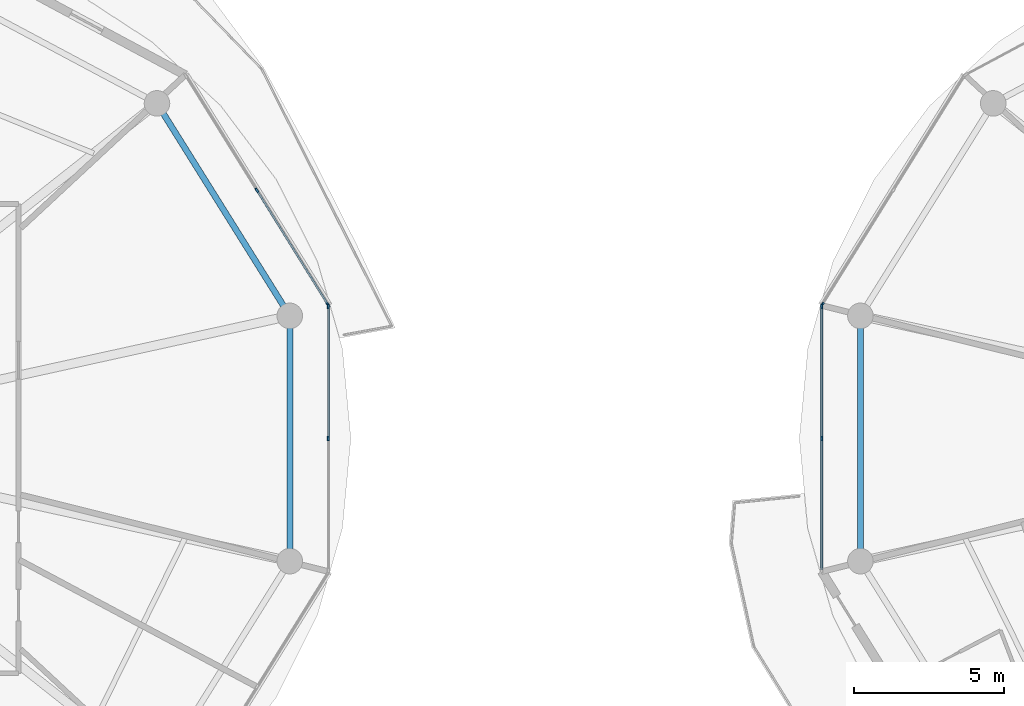
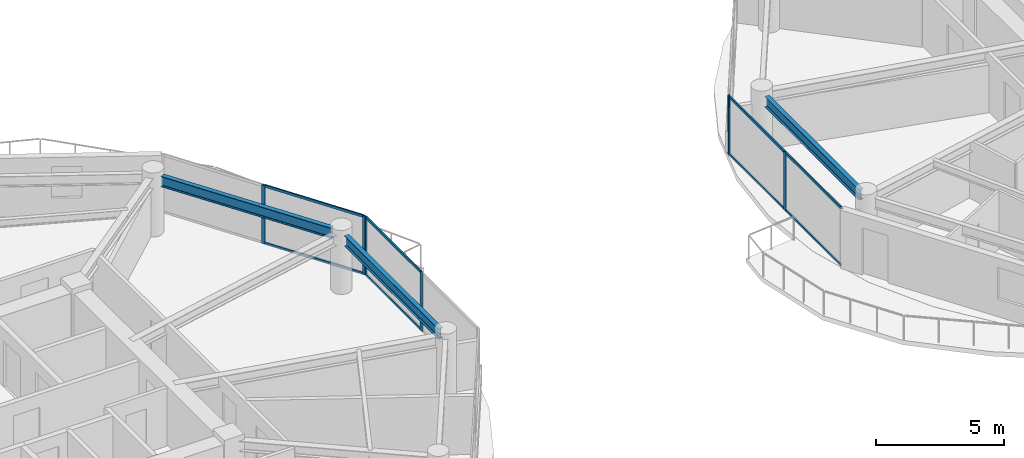
# One storey, part 7 of 23: 15 members, 3 beams, 4 elements without a shape of their own.
"""IFC4 building model written with IfcOpenShell, lengths in metres."""

from ifc_helpers import new_model, si_unit, direction, frame, origin, origin_2d, place, context, subcontext, project, spatial, rectangle, i_section, extrude, source, transform, mapped, material, layer, layer_set, material_profile, profile_set, type_object, type_shapes, element, aggregate, save


model = new_model("IFC4")

# Units and contexts
model_context = context("Model", 3, precision=1e-05, world=origin(), true_north=direction((0.0, 1.0)))
body_context = subcontext(model_context, "Body", "Model", "MODEL_VIEW")
ifc_project = project(units=[si_unit("LENGTHUNIT", "METRE"), si_unit("AREAUNIT", "SQUARE_METRE"), si_unit("VOLUMEUNIT", "CUBIC_METRE"), si_unit("PLANEANGLEUNIT", "RADIAN"), si_unit("MASSUNIT", "GRAM", prefix="KILO")], contexts=[model_context])

# Site, building, storey
site_placement = place(None, origin())
site = spatial("IfcSite", under=ifc_project, at=site_placement, CompositionType="ELEMENT")
building_placement = place(site_placement, origin())
building = spatial("IfcBuilding", under=site, at=building_placement, Name="Norrkilde Senior Care Towers", CompositionType="ELEMENT")
storey_placement = place(building_placement, frame((0.0, 0.0, 81.0)))
storey = spatial("IfcBuildingStorey", under=building, at=storey_placement, Name="L24", CompositionType="ELEMENT", Elevation=81.0)

# Beams
ifc_material_1 = material(Name="Steel S355", Category="steel")
ifc_material_profile_1 = material_profile(ifc_material_1, i_section(OverallWidth=0.199951171875, OverallDepth=0.5, WebThickness=0.01025390625, FlangeThickness=0.01611328125, FilletRadius=0.02099609375, at=origin_2d()), Name="IPE 500")
ifc_profile_set_1 = profile_set([ifc_material_profile_1], Name="Steel S355")
beam_type = type_object("IfcBeamType", Name="Perimeter Ring Spandrel Z2 IPE500", PredefinedType="SPANDREL", material=ifc_profile_set_1)
shared_shape_1 = source(origin(), body_context, "Body", "SweptSolid", [
    extrude(i_section(OverallWidth=0.199951171875, OverallDepth=0.5, WebThickness=0.01025390625, FlangeThickness=0.01611328125, FilletRadius=0.02099609375, at=origin_2d()), origin(), (0.0, 0.0, 1.0), 7.55615234375),
])
beam_placement = place(storey_placement, frame((-9.68505859375, 4.40283203125, 2.5400390625), z_axis=(-0.529981514254, 0.848009194849, 0.0), x_axis=(-0.848009194849, -0.529981514254, 0.0)))
element("IfcBeam", 1, at=beam_placement, inside=storey, type_object=beam_type, Name="L24 Drum W Perimeter Spandrel 01", PredefinedType="SPANDREL", context=body_context, shape_type="MappedRepresentation", body=[
    mapped(shared_shape_1, transform((0.0, 0.0, 0.0), x_axis=(1.0, 0.0, 0.0), y_axis=(0.0, 1.0, 0.0), z_axis=(0.0, 0.0, 1.0), scale=1.0)),
])
shared_shape_2 = source(origin(), body_context, "Body", "SweptSolid", [
    extrude(i_section(OverallWidth=0.199951171875, OverallDepth=0.5, WebThickness=0.01025390625, FlangeThickness=0.01611328125, FilletRadius=0.02099609375, at=origin_2d()), origin(), (0.0, 0.0, 1.0), 7.3828125),
])
type_shapes(beam_type, [shared_shape_1, shared_shape_2])
for number, where, z_axis, x_axis, name in (
    (2, (-9.48095703125, -3.69140625, 2.5400390625), (0.0, 1.0, 0.0), (-1.0, 0.0, 0.0), "L24 Drum W Perimeter Spandrel 12"),
    (3, (9.48095703125, 3.69140625, 2.5400390625), (0.0, -1.0, 0.0), (1.0, 0.0, 0.0), "L24 Drum E Perimeter Spandrel 06"),
):
    element("IfcBeam", number, at=place(storey_placement, frame(where, z_axis=z_axis, x_axis=x_axis)), inside=storey, type_object=beam_type, Name=name, PredefinedType="SPANDREL", context=body_context, shape_type="MappedRepresentation", body=[
        mapped(shared_shape_2, transform((0.0, 0.0, 0.0), x_axis=(1.0, 0.0, 0.0), y_axis=(0.0, 1.0, 0.0), z_axis=(0.0, 0.0, 1.0), scale=1.0)),
    ])

# Curtain wall, members
ifc_material_2 = material(Name="Triple Low-E Insulated Glazing", Category="glass")
ifc_layer = layer(ifc_material_2, 0.195068359375)
ifc_layer_set = layer_set([ifc_layer], Name="Triple Low-E Insulated Glazing")
curtain_wall_type = type_object("IfcCurtainWallType", Name="CW3 Zone 2 Assisted Living Curtain Wall", PredefinedType="NOTDEFINED", material=ifc_layer_set)
curtain_wall_1_placement = place(storey_placement, origin())
curtain_wall_1 = element("IfcCurtainWall", 4, at=curtain_wall_1_placement, inside=storey, type_object=curtain_wall_type, Name="L24 Drum W Curtain Wall 00", PredefinedType="NOTDEFINED")
ifc_material_3 = material(Name="Anodised Aluminium", Category="aluminium")
ifc_material_profile_2 = material_profile(ifc_material_3, rectangle(XDim=0.06494140625, YDim=0.159912109375, at=origin_2d()), Name="ALU MULL 65x160")
ifc_profile_set_2 = profile_set([ifc_material_profile_2], Name="Anodised Aluminium")
member_type_1 = type_object("IfcMemberType", Name="Curtain Wall Mullion Z1-Z2 65x160", PredefinedType="MULLION", material=ifc_profile_set_2)
shared_shape_3 = source(origin(), body_context, "Body", "SweptSolid", [
    extrude(rectangle(XDim=0.06494140625, YDim=0.159912109375, at=origin_2d()), origin(), (0.0, 0.0, 1.0), 2.7900390625),
])
type_shapes(member_type_1, [shared_shape_3])
member_1_placement = place(storey_placement, frame((-10.574951171875, 8.2490234375, 0.0), z_axis=(0.0, 0.0, 1.0), x_axis=(0.849410171862, 0.527733228002, 0.0)))
member_1 = element("IfcMember", 5, at=member_1_placement, type_object=member_type_1, Name="CW-3 mullion 2", PredefinedType="MULLION", context=body_context, shape_type="MappedRepresentation", body=[
    mapped(shared_shape_3, transform((0.0, 0.0, 0.0), x_axis=(1.0, 0.0, 0.0), y_axis=(0.0, 1.0, 0.0), z_axis=(0.0, 0.0, 1.0), scale=1.0)),
])
member_2_placement = place(storey_placement, frame((-8.21337890625, 4.4482421875, 0.0), z_axis=(0.0, 0.0, 1.0), x_axis=(0.849410171862, 0.527733228002, 0.0)))
member_2 = element("IfcMember", 6, at=member_2_placement, type_object=member_type_1, Name="CW-3 mullion 3", PredefinedType="MULLION", context=body_context, shape_type="MappedRepresentation", body=[
    mapped(shared_shape_3, transform((0.0, 0.0, 0.0), x_axis=(1.0, 0.0, 0.0), y_axis=(0.0, 1.0, 0.0), z_axis=(0.0, 0.0, 1.0), scale=1.0)),
])

curtain_wall_2_placement = place(storey_placement, origin())
curtain_wall_2 = element("IfcCurtainWall", 7, at=curtain_wall_2_placement, inside=storey, type_object=curtain_wall_type, Name="L24 Drum W Curtain Wall 11", PredefinedType="NOTDEFINED")
member_3_placement = place(storey_placement, frame((-8.1962890625, 4.38818359375, 0.0), z_axis=(0.0, 0.0, 1.0), x_axis=(1.0, 0.0, 0.0)))
member_3 = element("IfcMember", 8, at=member_3_placement, type_object=member_type_1, Name="CW-3 mullion 1", PredefinedType="MULLION", context=body_context, shape_type="MappedRepresentation", body=[
    mapped(shared_shape_3, transform((0.0, 0.0, 0.0), x_axis=(1.0, 0.0, 0.0), y_axis=(0.0, 1.0, 0.0), z_axis=(0.0, 0.0, 1.0), scale=1.0)),
])
member_4_placement = place(storey_placement, frame((-8.1962890625, 0.0, 0.0), z_axis=(0.0, 0.0, 1.0), x_axis=(1.0, 0.0, 0.0)))
member_4 = element("IfcMember", 9, at=member_4_placement, type_object=member_type_1, Name="CW-3 mullion 2", PredefinedType="MULLION", context=body_context, shape_type="MappedRepresentation", body=[
    mapped(shared_shape_3, transform((0.0, 0.0, 0.0), x_axis=(1.0, 0.0, 0.0), y_axis=(0.0, 1.0, 0.0), z_axis=(0.0, 0.0, 1.0), scale=1.0)),
])

# Curtain wall, member
curtain_wall_3_placement = place(storey_placement, origin())
curtain_wall_3 = element("IfcCurtainWall", 10, at=curtain_wall_3_placement, inside=storey, type_object=curtain_wall_type, Name="L24 Drum E Curtain Wall 04", PredefinedType="NOTDEFINED")
member_5_placement = place(storey_placement, frame((8.21337890625, 4.4482421875, 0.0), z_axis=(0.0, 0.0, 1.0), x_axis=(-0.849410171862, 0.527733228002, 0.0)))
member_5 = element("IfcMember", 11, at=member_5_placement, type_object=member_type_1, Name="CW-3 mullion 1", PredefinedType="MULLION", context=body_context, shape_type="MappedRepresentation", body=[
    mapped(shared_shape_3, transform((0.0, 0.0, 0.0), x_axis=(1.0, 0.0, 0.0), y_axis=(0.0, 1.0, 0.0), z_axis=(0.0, 0.0, 1.0), scale=1.0)),
])
aggregate(curtain_wall_3, [member_5])

# Curtain wall, members
curtain_wall_4_placement = place(storey_placement, origin())
curtain_wall_4 = element("IfcCurtainWall", 12, at=curtain_wall_4_placement, inside=storey, type_object=curtain_wall_type, Name="L24 Drum E Curtain Wall 05", PredefinedType="NOTDEFINED")
member_6_placement = place(storey_placement, frame((8.1962890625, 0.0, 0.0), z_axis=(0.0, 0.0, 1.0), x_axis=(-1.0, 0.0, 0.0)))
member_6 = element("IfcMember", 13, at=member_6_placement, type_object=member_type_1, Name="CW-3 mullion 2", PredefinedType="MULLION", context=body_context, shape_type="MappedRepresentation", body=[
    mapped(shared_shape_3, transform((0.0, 0.0, 0.0), x_axis=(1.0, 0.0, 0.0), y_axis=(0.0, 1.0, 0.0), z_axis=(0.0, 0.0, 1.0), scale=1.0)),
])
member_7_placement = place(storey_placement, frame((8.1962890625, 4.38818359375, 0.0), z_axis=(0.0, 0.0, 1.0), x_axis=(-1.0, 0.0, 0.0)))
member_7 = element("IfcMember", 14, at=member_7_placement, type_object=member_type_1, Name="CW-3 mullion 3", PredefinedType="MULLION", context=body_context, shape_type="MappedRepresentation", body=[
    mapped(shared_shape_3, transform((0.0, 0.0, 0.0), x_axis=(1.0, 0.0, 0.0), y_axis=(0.0, 1.0, 0.0), z_axis=(0.0, 0.0, 1.0), scale=1.0)),
])

# Member
ifc_material_profile_3 = material_profile(ifc_material_3, rectangle(XDim=0.06005859375, YDim=0.1201171875, at=origin_2d()), Name="ALU TRAN 60x120")
ifc_profile_set_3 = profile_set([ifc_material_profile_3], Name="Anodised Aluminium")
member_type_2 = type_object("IfcMemberType", Name="Curtain Wall Transom Typical 60x120", PredefinedType="USERDEFINED", material=ifc_profile_set_3)
shared_shape_4 = source(origin(), body_context, "Body", "SweptSolid", [
    extrude(rectangle(XDim=0.06005859375, YDim=0.1201171875, at=origin_2d()), origin(), (0.0, 0.0, 1.0), 4.40966796875),
])
member_8_placement = place(storey_placement, frame((-10.5576171875, 8.221435546875, 0.030029296875), z_axis=(0.527737675578, -0.849407408594, 0.0), x_axis=(0.849407408594, 0.527737675578, 0.0)))
member_8 = element("IfcMember", 15, at=member_8_placement, type_object=member_type_2, Name="CW-3 transom 2.1", ObjectType="TRANSOM", PredefinedType="USERDEFINED", context=body_context, shape_type="MappedRepresentation", body=[
    mapped(shared_shape_4, transform((0.0, 0.0, 0.0), x_axis=(1.0, 0.0, 0.0), y_axis=(0.0, 1.0, 0.0), z_axis=(0.0, 0.0, 1.0), scale=1.0)),
])

member_9_placement = place(storey_placement, frame((-10.5576171875, 8.221435546875, 2.760009765625), z_axis=(0.527737675578, -0.849407408594, 0.0), x_axis=(0.849407408594, 0.527737675578, 0.0)))
member_9 = element("IfcMember", 16, at=member_9_placement, type_object=member_type_2, Name="CW-3 transom 2.2", ObjectType="TRANSOM", PredefinedType="USERDEFINED", context=body_context, shape_type="MappedRepresentation", body=[
    mapped(shared_shape_4, transform((0.0, 0.0, 0.0), x_axis=(1.0, 0.0, 0.0), y_axis=(0.0, 1.0, 0.0), z_axis=(0.0, 0.0, 1.0), scale=1.0)),
])

aggregate(curtain_wall_1, [member_1, member_2, member_8, member_9])

shared_shape_5 = source(origin(), body_context, "Body", "SweptSolid", [
    extrude(rectangle(XDim=0.06005859375, YDim=0.1201171875, at=origin_2d()), origin(), (0.0, 0.0, 1.0), 4.3232421875),
])
type_shapes(member_type_2, [shared_shape_4, shared_shape_5])
member_10_placement = place(storey_placement, frame((-8.1962890625, 4.355712890625, 0.030029296875), z_axis=(0.0, -1.0, 0.0), x_axis=(1.0, 0.0, 0.0)))
member_10 = element("IfcMember", 17, at=member_10_placement, type_object=member_type_2, Name="CW-3 transom 1.1", ObjectType="TRANSOM", PredefinedType="USERDEFINED", context=body_context, shape_type="MappedRepresentation", body=[
    mapped(shared_shape_5, transform((0.0, 0.0, 0.0), x_axis=(1.0, 0.0, 0.0), y_axis=(0.0, 1.0, 0.0), z_axis=(0.0, 0.0, 1.0), scale=1.0)),
])

member_11_placement = place(storey_placement, frame((-8.1962890625, 4.355712890625, 2.760009765625), z_axis=(0.0, -1.0, 0.0), x_axis=(1.0, 0.0, 0.0)))
member_11 = element("IfcMember", 18, at=member_11_placement, type_object=member_type_2, Name="CW-3 transom 1.2", ObjectType="TRANSOM", PredefinedType="USERDEFINED", context=body_context, shape_type="MappedRepresentation", body=[
    mapped(shared_shape_5, transform((0.0, 0.0, 0.0), x_axis=(1.0, 0.0, 0.0), y_axis=(0.0, 1.0, 0.0), z_axis=(0.0, 0.0, 1.0), scale=1.0)),
])

aggregate(curtain_wall_2, [member_3, member_4, member_10, member_11])

member_12_placement = place(storey_placement, frame((8.1962890625, -4.355712890625, 0.030029296875), z_axis=(0.0, 1.0, 0.0), x_axis=(-1.0, 0.0, 0.0)))
member_12 = element("IfcMember", 19, at=member_12_placement, type_object=member_type_2, Name="CW-3 transom 1.1", ObjectType="TRANSOM", PredefinedType="USERDEFINED", context=body_context, shape_type="MappedRepresentation", body=[
    mapped(shared_shape_5, transform((0.0, 0.0, 0.0), x_axis=(1.0, 0.0, 0.0), y_axis=(0.0, 1.0, 0.0), z_axis=(0.0, 0.0, 1.0), scale=1.0)),
])

member_13_placement = place(storey_placement, frame((8.1962890625, -4.355712890625, 2.760009765625), z_axis=(0.0, 1.0, 0.0), x_axis=(-1.0, 0.0, 0.0)))
member_13 = element("IfcMember", 20, at=member_13_placement, type_object=member_type_2, Name="CW-3 transom 1.2", ObjectType="TRANSOM", PredefinedType="USERDEFINED", context=body_context, shape_type="MappedRepresentation", body=[
    mapped(shared_shape_5, transform((0.0, 0.0, 0.0), x_axis=(1.0, 0.0, 0.0), y_axis=(0.0, 1.0, 0.0), z_axis=(0.0, 0.0, 1.0), scale=1.0)),
])

member_14_placement = place(storey_placement, frame((8.1962890625, 0.032470703125, 0.030029296875), z_axis=(0.0, 1.0, 0.0), x_axis=(-1.0, 0.0, 0.0)))
member_14 = element("IfcMember", 21, at=member_14_placement, type_object=member_type_2, Name="CW-3 transom 2.1", ObjectType="TRANSOM", PredefinedType="USERDEFINED", context=body_context, shape_type="MappedRepresentation", body=[
    mapped(shared_shape_5, transform((0.0, 0.0, 0.0), x_axis=(1.0, 0.0, 0.0), y_axis=(0.0, 1.0, 0.0), z_axis=(0.0, 0.0, 1.0), scale=1.0)),
])

member_15_placement = place(storey_placement, frame((8.1962890625, 0.032470703125, 2.760009765625), z_axis=(0.0, 1.0, 0.0), x_axis=(-1.0, 0.0, 0.0)))
member_15 = element("IfcMember", 22, at=member_15_placement, type_object=member_type_2, Name="CW-3 transom 2.2", ObjectType="TRANSOM", PredefinedType="USERDEFINED", context=body_context, shape_type="MappedRepresentation", body=[
    mapped(shared_shape_5, transform((0.0, 0.0, 0.0), x_axis=(1.0, 0.0, 0.0), y_axis=(0.0, 1.0, 0.0), z_axis=(0.0, 0.0, 1.0), scale=1.0)),
])

aggregate(curtain_wall_4, [member_6, member_7, member_12, member_13, member_14, member_15])

save(model, "model.ifc")
